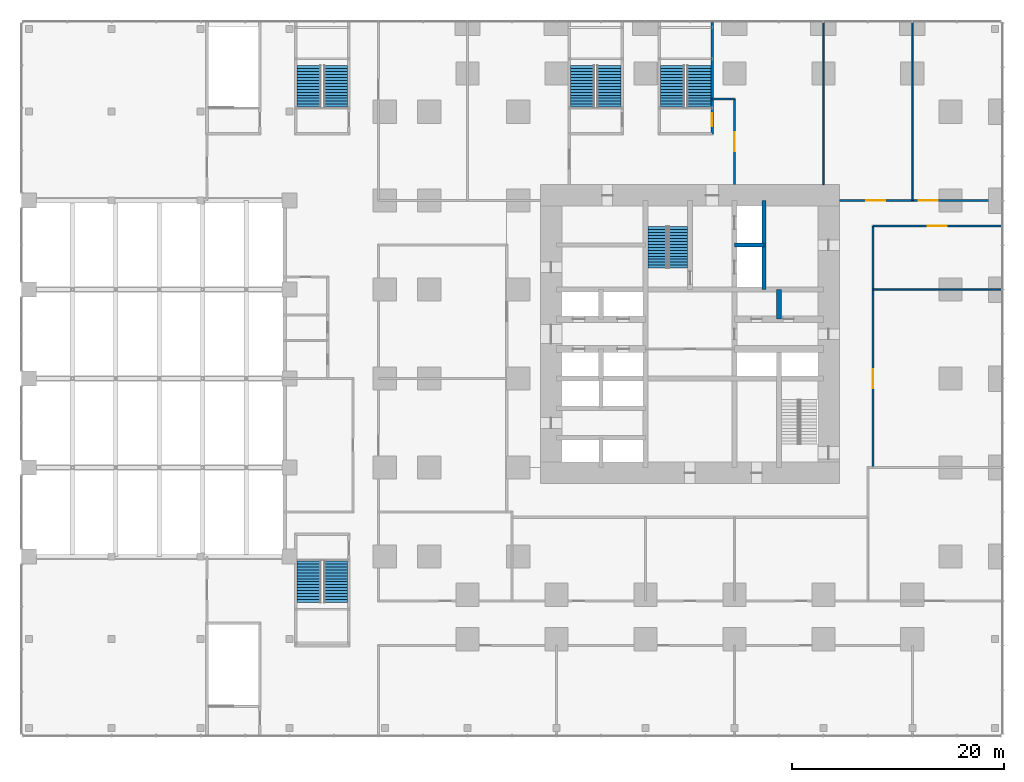
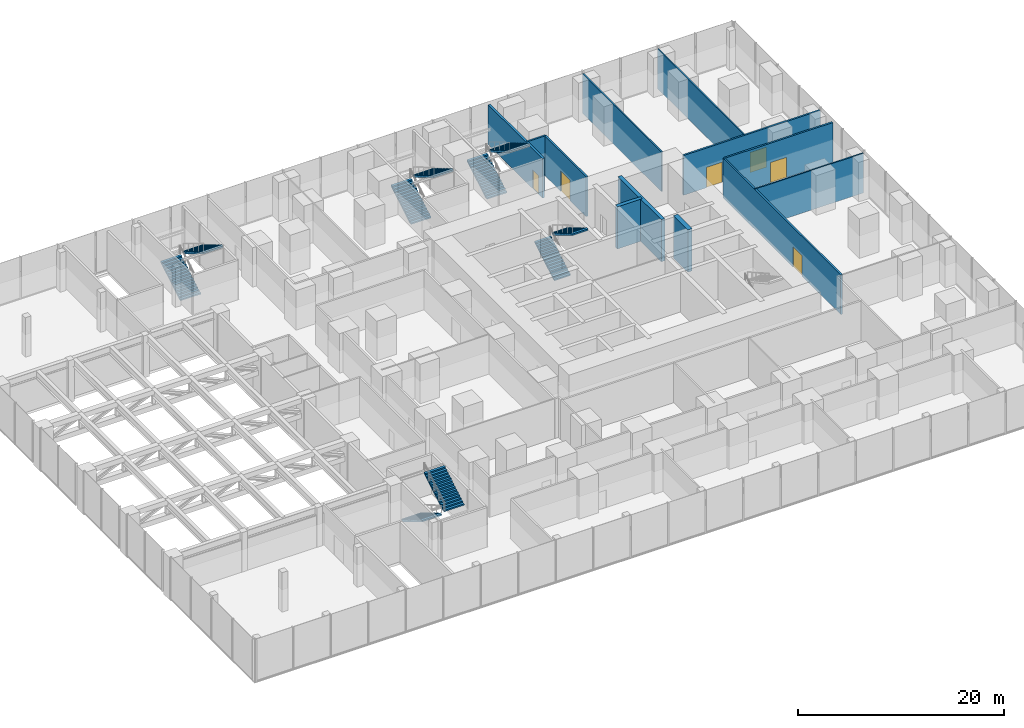
# One storey, part 29 of 33: 12 walls, 10 stair flights, 6 doors, 6 openings, 5 elements without a shape of their own.
"""IFC4 building model written with IfcOpenShell, lengths in metres."""

from ifc_helpers import new_model, si_unit, direction, frame, frame_2d, origin, place, context, subcontext, project, spatial, polyline, rectangle, outline, extrude, material, layer, layer_set, type_object, element, fill, aggregate, save


model = new_model("IFC4")

# Units and contexts
model_context = context("Model", 3, precision=1e-05, world=origin(), true_north=direction((0.0, 1.0)))
body_context = subcontext(model_context, "Body", "Model", "MODEL_VIEW")
ifc_project = project(units=[si_unit("LENGTHUNIT", "METRE"), si_unit("AREAUNIT", "SQUARE_METRE"), si_unit("VOLUMEUNIT", "CUBIC_METRE"), si_unit("PLANEANGLEUNIT", "RADIAN"), si_unit("MASSUNIT", "GRAM", prefix="KILO")], contexts=[model_context])

# Site, building, storey
site_placement = place(None, origin())
site = spatial("IfcSite", under=ifc_project, at=site_placement, CompositionType="ELEMENT")
building_placement = place(site_placement, origin())
building = spatial("IfcBuilding", under=site, at=building_placement, Name="Dunama Terrace Hotel", CompositionType="ELEMENT")
storey_placement = place(building_placement, frame((0.0, 0.0, 12.0)))
storey = spatial("IfcBuildingStorey", under=building, at=storey_placement, Name="L02", CompositionType="ELEMENT", Elevation=12.0)

# Walls
ifc_material_1 = material(Name="Concrete C50/60", Category="concrete")
ifc_layer_1 = layer(ifc_material_1, 0.39990234375)
ifc_layer_set_1 = layer_set([ifc_layer_1], Name="Core inner wall 400")
wall_type_1 = type_object("IfcWallType", Name="Core inner wall 400", PredefinedType="SHEAR", material=ifc_layer_set_1)
wall_1_placement = place(storey_placement, frame((36.39990234375, 33.60009765625, -0.300048828125), z_axis=(0.0, 0.0, 1.0), x_axis=(0.0, 1.0, 0.0)))
element("IfcWall", 1, at=wall_1_placement, inside=storey, type_object=wall_type_1, Name="Core inner wall 400 L02", PredefinedType="SHEAR", context=body_context, shape_type="SweptSolid", body=[
    extrude(rectangle(XDim=8.39990234375, YDim=0.39990234375, at=frame_2d((4.199951171875, 0.0))), origin(), (0.0, 0.0, 1.0), 5.0),
])
wall_2_placement = place(storey_placement, frame((33.60009765625, 37.800048828125, -0.300048828125), z_axis=(0.0, 0.0, 1.0), x_axis=(1.0, 0.0, 0.0)))
element("IfcWall", 2, at=wall_2_placement, inside=storey, type_object=wall_type_1, Name="Core inner wall 400 L02", PredefinedType="SHEAR", context=body_context, shape_type="SweptSolid", body=[
    extrude(rectangle(XDim=2.7998046875, YDim=0.39990234375, at=frame_2d((1.39990234375, 0.0))), origin(), (0.0, 0.0, 1.0), 5.0),
])
ifc_material_2 = material(Name="Concrete C50/60", Category="concrete")
ifc_layer_2 = layer(ifc_material_2, 0.5)
ifc_layer_set_2 = layer_set([ifc_layer_2], Name="Core inner wall 500")
wall_type_2 = type_object("IfcWallType", Name="Core inner wall 500", PredefinedType="SHEAR", material=ifc_layer_set_2)
wall_3_placement = place(storey_placement, frame((37.800048828125, 30.800048828125, -0.300048828125), z_axis=(0.0, 0.0, 1.0), x_axis=(0.0, 1.0, 0.0)))
element("IfcWall", 3, at=wall_3_placement, inside=storey, type_object=wall_type_2, Name="Core inner wall 500 L02", PredefinedType="SHEAR", context=body_context, shape_type="SweptSolid", body=[
    extrude(rectangle(XDim=2.800048828125, YDim=0.5, at=frame_2d((1.39990234375, 0.0))), origin(), (0.0, 0.0, 1.0), 5.0),
])

# Wall, opening, door
ifc_material_3 = material(Name="Concrete blockwork", Category="masonry")
ifc_layer_3 = layer(ifc_material_3, 0.199951171875)
ifc_layer_set_3 = layer_set([ifc_layer_3], Name="Corridor partition 200")
wall_type_3 = type_object("IfcWallType", Name="Corridor partition 200", PredefinedType="PARTITIONING", material=ifc_layer_set_3)
wall_4_placement = place(storey_placement, frame((33.60009765625, 43.5, 0.0), z_axis=(0.0, 0.0, 1.0), x_axis=(0.0, 1.0, 0.0)))
wall_4 = element("IfcWall", 4, at=wall_4_placement, inside=storey, type_object=wall_type_3, Name="Corridor partition 200 L02", PredefinedType="PARTITIONING", context=body_context, shape_type="SweptSolid", body=[
    extrude(rectangle(XDim=8.10009765625, YDim=0.199951171875, at=frame_2d((4.050048828125, 0.0))), origin(), (0.0, 0.0, 1.0), 4.699951171875),
])
opening_1_placement = place(wall_4_placement, frame((3.14990234375, 0.0, 0.0)))
opening_1 = element("IfcOpeningElement", 5, at=opening_1_placement, cuts=wall_4, Name="Opening L02-032", PredefinedType="OPENING", context=body_context, shape_type="SweptSolid", body=[
    extrude(rectangle(XDim=1.800048828125, YDim=2.39990234375, at=frame_2d((0.89990234375, 1.199951171875))), frame((0.0, 0.10986328125, 0.0), z_axis=(0.0, -1.0, 0.0), x_axis=(1.0, 0.0, 0.0)), (0.0, 0.0, 1.0), 0.219970703125),
])
ifc_material_4 = material(Name="Aluminium-framed glazed door", Category="aluminium")
door_type_1 = type_object("IfcDoorType", Name="Glazed double door 1800", OperationType="DOUBLE_DOOR_DOUBLE_SWING", PredefinedType="DOOR", material=ifc_material_4)
door_1_placement = place(opening_1_placement, origin())
door_1 = element("IfcDoor", 6, at=door_1_placement, inside=storey, type_object=door_type_1, Name="Door to meeting room 8 L02-032, type D8", OperationType="DOUBLE_DOOR_DOUBLE_SWING", OverallHeight=2.39990234375, OverallWidth=1.800048828125, PredefinedType="DOOR", context=body_context, shape_type="SweptSolid", body=[
    extrude(rectangle(XDim=1.800048828125, YDim=2.39990234375, at=frame_2d((0.89990234375, 1.199951171875))), frame((0.0, 0.02490234375, 0.0), z_axis=(0.0, -1.0, 0.0), x_axis=(1.0, 0.0, 0.0)), (0.0, 0.0, 1.0), 0.050048828125),
])
fill(opening_1, door_1)

wall_5_placement = place(storey_placement, frame((46.699951171875, 16.800048828125, 0.0), z_axis=(0.0, 0.0, 1.0), x_axis=(0.0, 1.0, 0.0)))
wall_5 = element("IfcWall", 7, at=wall_5_placement, inside=storey, type_object=wall_type_3, Name="Corridor partition 200 L02", PredefinedType="PARTITIONING", context=body_context, shape_type="SweptSolid", body=[
    extrude(rectangle(XDim=22.800048828125, YDim=0.199951171875, at=frame_2d((11.39990234375, 0.0))), origin(), (0.0, 0.0, 1.0), 4.699951171875),
])
opening_2_placement = place(wall_5_placement, frame((7.5, 0.0, 0.0)))
opening_2 = element("IfcOpeningElement", 8, at=opening_2_placement, cuts=wall_5, Name="Opening L02-035", PredefinedType="OPENING", context=body_context, shape_type="SweptSolid", body=[
    extrude(rectangle(XDim=1.800048828125, YDim=2.39990234375, at=frame_2d((0.89990234375, 1.199951171875))), frame((0.0, 0.10986328125, 0.0), z_axis=(0.0, -1.0, 0.0), x_axis=(1.0, 0.0, 0.0)), (0.0, 0.0, 1.0), 0.219970703125),
])
door_2_placement = place(opening_2_placement, origin())
door_2 = element("IfcDoor", 9, at=door_2_placement, inside=storey, type_object=door_type_1, Name="Door to boardroom L02-035, type D8", OperationType="DOUBLE_DOOR_DOUBLE_SWING", OverallHeight=2.39990234375, OverallWidth=1.800048828125, PredefinedType="DOOR", context=body_context, shape_type="SweptSolid", body=[
    extrude(rectangle(XDim=1.800048828125, YDim=2.39990234375, at=frame_2d((0.89990234375, 1.199951171875))), frame((0.0, 0.02490234375, 0.0), z_axis=(0.0, -1.0, 0.0), x_axis=(1.0, 0.0, 0.0)), (0.0, 0.0, 1.0), 0.050048828125),
])
fill(opening_2, door_2)

wall_6_placement = place(storey_placement, frame((46.699951171875, 39.60009765625, 0.0), z_axis=(0.0, 0.0, 1.0), x_axis=(1.0, 0.0, 0.0)))
wall_6 = element("IfcWall", 10, at=wall_6_placement, inside=storey, type_object=wall_type_3, Name="Corridor partition 200 L02", PredefinedType="PARTITIONING", context=body_context, shape_type="SweptSolid", body=[
    extrude(rectangle(XDim=12.123046875, YDim=0.199951171875, at=frame_2d((6.0615234375, 0.0))), origin(), (0.0, 0.0, 1.0), 4.699951171875),
])
opening_3_placement = place(wall_6_placement, frame((5.14990234375, 0.0, 0.0)))
opening_3 = element("IfcOpeningElement", 11, at=opening_3_placement, cuts=wall_6, Name="Opening L02-050", PredefinedType="OPENING", context=body_context, shape_type="SweptSolid", body=[
    extrude(rectangle(XDim=1.800048828125, YDim=2.39990234375, at=frame_2d((0.89990234375, 1.199951171875))), frame((0.0, 0.10986328125, 0.0), z_axis=(0.0, -1.0, 0.0), x_axis=(1.0, 0.0, 0.0)), (0.0, 0.0, 1.0), 0.219970703125),
])
door_3_placement = place(opening_3_placement, origin())
door_3 = element("IfcDoor", 12, at=door_3_placement, inside=storey, type_object=door_type_1, Name="Door to executive lounge L02-050, type D8", OperationType="DOUBLE_DOOR_DOUBLE_SWING", OverallHeight=2.39990234375, OverallWidth=1.800048828125, PredefinedType="DOOR", context=body_context, shape_type="SweptSolid", body=[
    extrude(rectangle(XDim=1.800048828125, YDim=2.39990234375, at=frame_2d((0.89990234375, 1.199951171875))), frame((0.0, 0.02490234375, 0.0), z_axis=(0.0, -1.0, 0.0), x_axis=(1.0, 0.0, 0.0)), (0.0, 0.0, 1.0), 0.050048828125),
])
fill(opening_3, door_3)

# Wall, openings, doors
wall_7_placement = place(storey_placement, frame((58.800048828125, 42.0, 0.0), z_axis=(0.0, 0.0, 1.0), x_axis=(-1.0, 0.0, 0.0)))
wall_7 = element("IfcWall", 13, at=wall_7_placement, inside=storey, type_object=wall_type_3, Name="Corridor partition 200 L02", PredefinedType="PARTITIONING", context=body_context, shape_type="SweptSolid", body=[
    extrude(rectangle(XDim=15.300048828125, YDim=0.199951171875, at=frame_2d((7.64990234375, 0.0))), origin(), (0.0, 0.0, 1.0), 4.699951171875),
])
opening_4_placement = place(wall_7_placement, frame((10.949951171875, 0.0, 0.0)))
opening_4 = element("IfcOpeningElement", 14, at=opening_4_placement, cuts=wall_7, Name="Opening L02-033", PredefinedType="OPENING", context=body_context, shape_type="SweptSolid", body=[
    extrude(rectangle(XDim=1.800048828125, YDim=2.39990234375, at=frame_2d((0.89990234375, 1.199951171875))), frame((0.0, 0.10986328125, 0.0), z_axis=(0.0, -1.0, 0.0), x_axis=(1.0, 0.0, 0.0)), (0.0, 0.0, 1.0), 0.219970703125),
])
opening_5_placement = place(wall_7_placement, frame((6.0, 0.0, 0.0)))
opening_5 = element("IfcOpeningElement", 15, at=opening_5_placement, cuts=wall_7, Name="Opening L02-034", PredefinedType="OPENING", context=body_context, shape_type="SweptSolid", body=[
    extrude(rectangle(XDim=1.800048828125, YDim=2.39990234375, at=frame_2d((0.89990234375, 1.199951171875))), frame((0.0, 0.10986328125, 0.0), z_axis=(0.0, -1.0, 0.0), x_axis=(1.0, 0.0, 0.0)), (0.0, 0.0, 1.0), 0.219970703125),
])
door_4_placement = place(opening_4_placement, origin())
door_4 = element("IfcDoor", 16, at=door_4_placement, inside=storey, type_object=door_type_1, Name="Door to meeting room 9 L02-033, type D8", OperationType="DOUBLE_DOOR_DOUBLE_SWING", OverallHeight=2.39990234375, OverallWidth=1.800048828125, PredefinedType="DOOR", context=body_context, shape_type="SweptSolid", body=[
    extrude(rectangle(XDim=1.800048828125, YDim=2.39990234375, at=frame_2d((0.89990234375, 1.199951171875))), frame((0.0, 0.02490234375, 0.0), z_axis=(0.0, -1.0, 0.0), x_axis=(1.0, 0.0, 0.0)), (0.0, 0.0, 1.0), 0.050048828125),
])
fill(opening_4, door_4)
door_5_placement = place(opening_5_placement, origin())
door_5 = element("IfcDoor", 17, at=door_5_placement, inside=storey, type_object=door_type_1, Name="Door to meeting room 10 L02-034, type D8", OperationType="DOUBLE_DOOR_DOUBLE_SWING", OverallHeight=2.39990234375, OverallWidth=1.800048828125, PredefinedType="DOOR", context=body_context, shape_type="SweptSolid", body=[
    extrude(rectangle(XDim=1.800048828125, YDim=2.39990234375, at=frame_2d((0.89990234375, 1.199951171875))), frame((0.0, 0.02490234375, 0.0), z_axis=(0.0, -1.0, 0.0), x_axis=(1.0, 0.0, 0.0)), (0.0, 0.0, 1.0), 0.050048828125),
])
fill(opening_5, door_5)

# Walls
wall_8_placement = place(storey_placement, frame((33.60009765625, 51.60009765625, 0.0), z_axis=(0.0, 0.0, 1.0), x_axis=(-1.0, 0.0, 0.0)))
element("IfcWall", 18, at=wall_8_placement, inside=storey, type_object=wall_type_3, Name="Corridor partition 200 L02", PredefinedType="PARTITIONING", context=body_context, shape_type="SweptSolid", body=[
    extrude(rectangle(XDim=2.10009765625, YDim=0.199951171875, at=frame_2d((1.050048828125, 0.0))), origin(), (0.0, 0.0, 1.0), 4.699951171875),
])
ifc_material_5 = material(Name="Gypsum board partition", Category="masonry")
ifc_layer_4 = layer(ifc_material_5, 0.14990234375)
ifc_layer_set_4 = layer_set([ifc_layer_4], Name="Room partition 150")
wall_type_4 = type_object("IfcWallType", Name="Room partition 150", PredefinedType="PARTITIONING", material=ifc_layer_set_4)
wall_9_placement = place(storey_placement, frame((42.0, 43.5, 0.0), z_axis=(0.0, 0.0, 1.0), x_axis=(0.0, 1.0, 0.0)))
element("IfcWall", 19, at=wall_9_placement, inside=storey, type_object=wall_type_4, Name="Room partition 150 L02", PredefinedType="PARTITIONING", context=body_context, shape_type="SweptSolid", body=[
    extrude(rectangle(XDim=15.300048828125, YDim=0.14990234375, at=frame_2d((7.64990234375, 0.0))), origin(), (0.0, 0.0, 1.0), 4.699951171875),
])
wall_10_placement = place(storey_placement, frame((50.39990234375, 42.0, 0.0), z_axis=(0.0, 0.0, 1.0), x_axis=(0.0, 1.0, 0.0)))
element("IfcWall", 20, at=wall_10_placement, inside=storey, type_object=wall_type_4, Name="Room partition 150 L02", PredefinedType="PARTITIONING", context=body_context, shape_type="SweptSolid", body=[
    extrude(rectangle(XDim=16.800048828125, YDim=0.14990234375, at=frame_2d((8.39990234375, 0.0))), origin(), (0.0, 0.0, 1.0), 4.699951171875),
])
wall_11_placement = place(storey_placement, frame((46.699951171875, 33.60009765625, 0.0), z_axis=(0.0, 0.0, 1.0), x_axis=(1.0, 0.0, 0.0)))
element("IfcWall", 21, at=wall_11_placement, inside=storey, type_object=wall_type_4, Name="Room partition 150 L02", PredefinedType="PARTITIONING", context=body_context, shape_type="SweptSolid", body=[
    extrude(rectangle(XDim=12.10009765625, YDim=0.14990234375, at=frame_2d((6.050048828125, 0.0))), origin(), (0.0, 0.0, 1.0), 4.699951171875),
])

# Wall, opening, door
ifc_material_6 = material(Name="Concrete blockwork", Category="masonry")
ifc_layer_5 = layer(ifc_material_6, 0.25)
ifc_layer_set_5 = layer_set([ifc_layer_5], Name="Stair enclosure wall 250")
wall_type_5 = type_object("IfcWallType", Name="Stair enclosure wall 250", PredefinedType="PARTITIONING", material=ifc_layer_set_5)
wall_12_placement = place(storey_placement, frame((31.5, 48.300048828125, 0.0), z_axis=(0.0, 0.0, 1.0), x_axis=(0.0, 1.0, 0.0)))
wall_12 = element("IfcWall", 22, at=wall_12_placement, inside=storey, type_object=wall_type_5, Name="Stair enclosure wall 250 L02", PredefinedType="PARTITIONING", context=body_context, shape_type="SweptSolid", body=[
    extrude(rectangle(XDim=10.52294921875, YDim=0.25, at=frame_2d((5.261474609375, 0.0))), origin(), (0.0, 0.0, 1.0), 4.699951171875),
])
opening_6_placement = place(wall_12_placement, frame((0.72509765625, 0.0, 0.0)))
opening_6 = element("IfcOpeningElement", 23, at=opening_6_placement, cuts=wall_12, Name="Opening L02-008", PredefinedType="OPENING", context=body_context, shape_type="SweptSolid", body=[
    extrude(rectangle(XDim=1.199951171875, YDim=2.199951171875, at=frame_2d((0.60009765625, 1.10009765625))), frame((0.0, 0.135009765625, 0.0), z_axis=(0.0, -1.0, 0.0), x_axis=(1.0, 0.0, 0.0)), (0.0, 0.0, 1.0), 0.27001953125),
])
ifc_material_7 = material(Name="Timber door with steel frame", Category="steel")
door_type_2 = type_object("IfcDoorType", Name="Stair door 1200", OperationType="SINGLE_SWING_LEFT", PredefinedType="DOOR", material=ifc_material_7)
door_6_placement = place(opening_6_placement, origin())
door_6 = element("IfcDoor", 24, at=door_6_placement, inside=storey, type_object=door_type_2, Name="Stair door P6 L02-008, type D5", OperationType="SINGLE_SWING_RIGHT", OverallHeight=2.199951171875, OverallWidth=1.199951171875, PredefinedType="DOOR", context=body_context, shape_type="SweptSolid", body=[
    extrude(rectangle(XDim=1.199951171875, YDim=2.199951171875, at=frame_2d((0.60009765625, 1.10009765625))), frame((0.0, 0.02490234375, 0.0), z_axis=(0.0, -1.0, 0.0), x_axis=(1.0, 0.0, 0.0)), (0.0, 0.0, 1.0), 0.050048828125),
])
fill(opening_6, door_6)

# Stair, stair flights
ifc_material_8 = material(Name="Concrete C40/50", Category="concrete")
stair_type_1 = type_object("IfcStairType", Name="Stair P3-5000-2250", PredefinedType="HALF_TURN_STAIR", material=ifc_material_8)
stair_1_placement = place(storey_placement, origin())
stair_1 = element("IfcStair", 25, at=stair_1_placement, inside=storey, type_object=stair_type_1, Name="Stair P3 L02", PredefinedType="HALF_TURN_STAIR")
ifc_material_9 = material(Name="Concrete C40/50", Category="concrete")
stair_flight_type_1 = type_object("IfcStairFlightType", Name="Stair flight P3-5000-2250", PredefinedType="STRAIGHT", material=ifc_material_9)
stair_flight_1_placement = place(storey_placement, frame((-6.550048828125, 50.824951171875, 0.0), z_axis=(0.0, 0.0, 1.0), x_axis=(0.0, 1.0, 0.0)))
stair_flight_1 = element("IfcStairFlight", 26, at=stair_flight_1_placement, type_object=stair_flight_type_1, Name="P3 flight 1", NumberOfRisers=15, NumberOfTreads=14, PredefinedType="STRAIGHT", RiserHeight=0.166666667, TreadLength=0.28, context=body_context, shape_type="SweptSolid", body=[
    extrude(outline(polyline([(0.0, 0.0), (0.0, 0.166748046875), (0.280029296875, 0.166748046875), (0.280029296875, 0.333251953125), (0.56005859375, 0.333251953125), (0.56005859375, 0.5), (0.840087890625, 0.5), (0.840087890625, 0.666748046875), (1.1201171875, 0.666748046875), (1.1201171875, 0.833251953125), (1.39990234375, 0.833251953125), (1.39990234375, 1.0), (1.679931640625, 1.0), (1.679931640625, 1.166748046875), (1.9599609375, 1.166748046875), (1.9599609375, 1.333251953125), (2.239990234375, 1.333251953125), (2.239990234375, 1.5), (2.52001953125, 1.5), (2.52001953125, 1.666748046875), (2.800048828125, 1.666748046875), (2.800048828125, 1.833251953125), (3.080078125, 1.833251953125), (3.080078125, 2.0), (3.360107421875, 2.0), (3.360107421875, 2.166748046875), (3.639892578125, 2.166748046875), (3.639892578125, 2.333251953125), (3.919921875, 2.333251953125), (3.919921875, 2.5), (3.919921875, 2.158935546875), (0.29296875, 0.0), (0.0, 0.0)])), frame((0.0, 1.125, 0.0), z_axis=(0.0, -1.0, 0.0), x_axis=(1.0, 0.0, 0.0)), (0.0, 0.0, 1.0), 2.25),
])
stair_flight_2_placement = place(storey_placement, frame((-4.050048828125, 54.7451171875, 2.5), z_axis=(0.0, 0.0, 1.0), x_axis=(0.0, -1.0, 0.0)))
stair_flight_2 = element("IfcStairFlight", 27, at=stair_flight_2_placement, type_object=stair_flight_type_1, Name="P3 flight 2", NumberOfRisers=15, NumberOfTreads=14, PredefinedType="STRAIGHT", RiserHeight=0.166666667, TreadLength=0.28, context=body_context, shape_type="SweptSolid", body=[
    extrude(outline(polyline([(0.0, 0.0), (0.0, 0.166748046875), (0.280029296875, 0.166748046875), (0.280029296875, 0.333251953125), (0.56005859375, 0.333251953125), (0.56005859375, 0.5), (0.840087890625, 0.5), (0.840087890625, 0.666748046875), (1.1201171875, 0.666748046875), (1.1201171875, 0.833251953125), (1.39990234375, 0.833251953125), (1.39990234375, 1.0), (1.679931640625, 1.0), (1.679931640625, 1.166748046875), (1.9599609375, 1.166748046875), (1.9599609375, 1.333251953125), (2.239990234375, 1.333251953125), (2.239990234375, 1.5), (2.52001953125, 1.5), (2.52001953125, 1.666748046875), (2.800048828125, 1.666748046875), (2.800048828125, 1.833251953125), (3.080078125, 1.833251953125), (3.080078125, 2.0), (3.360107421875, 2.0), (3.360107421875, 2.166748046875), (3.639892578125, 2.166748046875), (3.639892578125, 2.333251953125), (3.919921875, 2.333251953125), (3.919921875, 2.5), (3.919921875, 2.158935546875), (0.29296875, 0.0), (0.0, 0.0)])), frame((0.0, 1.125, 0.0), z_axis=(0.0, -1.0, 0.0), x_axis=(1.0, 0.0, 0.0)), (0.0, 0.0, 1.0), 2.25),
])
aggregate(stair_1, [stair_flight_1, stair_flight_2])

ifc_material_10 = material(Name="Concrete C40/50", Category="concrete")
stair_type_2 = type_object("IfcStairType", Name="Stair P4-5000-2250", PredefinedType="HALF_TURN_STAIR", material=ifc_material_10)
stair_2_placement = place(storey_placement, origin())
stair_2 = element("IfcStair", 28, at=stair_2_placement, inside=storey, type_object=stair_type_2, Name="Stair P4 L02", PredefinedType="HALF_TURN_STAIR")
ifc_material_11 = material(Name="Concrete C40/50", Category="concrete")
stair_flight_type_2 = type_object("IfcStairFlightType", Name="Stair flight P4-5000-2250", PredefinedType="STRAIGHT", material=ifc_material_11)
stair_flight_3_placement = place(storey_placement, frame((-6.550048828125, 7.97509765625, 0.0), z_axis=(0.0, 0.0, 1.0), x_axis=(0.0, -1.0, 0.0)))
stair_flight_3 = element("IfcStairFlight", 29, at=stair_flight_3_placement, type_object=stair_flight_type_2, Name="P4 flight 1", NumberOfRisers=15, NumberOfTreads=14, PredefinedType="STRAIGHT", RiserHeight=0.166666667, TreadLength=0.28, context=body_context, shape_type="SweptSolid", body=[
    extrude(outline(polyline([(0.0, 0.0), (0.0, 0.166748046875), (0.280029296875, 0.166748046875), (0.280029296875, 0.333251953125), (0.56005859375, 0.333251953125), (0.56005859375, 0.5), (0.840087890625, 0.5), (0.840087890625, 0.666748046875), (1.1201171875, 0.666748046875), (1.1201171875, 0.833251953125), (1.39990234375, 0.833251953125), (1.39990234375, 1.0), (1.679931640625, 1.0), (1.679931640625, 1.166748046875), (1.9599609375, 1.166748046875), (1.9599609375, 1.333251953125), (2.239990234375, 1.333251953125), (2.239990234375, 1.5), (2.52001953125, 1.5), (2.52001953125, 1.666748046875), (2.800048828125, 1.666748046875), (2.800048828125, 1.833251953125), (3.080078125, 1.833251953125), (3.080078125, 2.0), (3.360107421875, 2.0), (3.360107421875, 2.166748046875), (3.639892578125, 2.166748046875), (3.639892578125, 2.333251953125), (3.919921875, 2.333251953125), (3.919921875, 2.5), (3.919921875, 2.158935546875), (0.29296875, 0.0), (0.0, 0.0)])), frame((0.0, 1.125, 0.0), z_axis=(0.0, -1.0, 0.0), x_axis=(1.0, 0.0, 0.0)), (0.0, 0.0, 1.0), 2.25),
])
stair_flight_4_placement = place(storey_placement, frame((-4.050048828125, 4.054931640625, 2.5), z_axis=(0.0, 0.0, 1.0), x_axis=(0.0, 1.0, 0.0)))
stair_flight_4 = element("IfcStairFlight", 30, at=stair_flight_4_placement, type_object=stair_flight_type_2, Name="P4 flight 2", NumberOfRisers=15, NumberOfTreads=14, PredefinedType="STRAIGHT", RiserHeight=0.166666667, TreadLength=0.28, context=body_context, shape_type="SweptSolid", body=[
    extrude(outline(polyline([(0.0, 0.0), (0.0, 0.166748046875), (0.280029296875, 0.166748046875), (0.280029296875, 0.333251953125), (0.56005859375, 0.333251953125), (0.56005859375, 0.5), (0.840087890625, 0.5), (0.840087890625, 0.666748046875), (1.1201171875, 0.666748046875), (1.1201171875, 0.833251953125), (1.39990234375, 0.833251953125), (1.39990234375, 1.0), (1.679931640625, 1.0), (1.679931640625, 1.166748046875), (1.9599609375, 1.166748046875), (1.9599609375, 1.333251953125), (2.239990234375, 1.333251953125), (2.239990234375, 1.5), (2.52001953125, 1.5), (2.52001953125, 1.666748046875), (2.800048828125, 1.666748046875), (2.800048828125, 1.833251953125), (3.080078125, 1.833251953125), (3.080078125, 2.0), (3.360107421875, 2.0), (3.360107421875, 2.166748046875), (3.639892578125, 2.166748046875), (3.639892578125, 2.333251953125), (3.919921875, 2.333251953125), (3.919921875, 2.5), (3.919921875, 2.158935546875), (0.29296875, 0.0), (0.0, 0.0)])), frame((0.0, 1.125, 0.0), z_axis=(0.0, -1.0, 0.0), x_axis=(1.0, 0.0, 0.0)), (0.0, 0.0, 1.0), 2.25),
])
aggregate(stair_2, [stair_flight_3, stair_flight_4])

ifc_material_12 = material(Name="Concrete C40/50", Category="concrete")
stair_type_3 = type_object("IfcStairType", Name="Stair P5-5000-2250", PredefinedType="HALF_TURN_STAIR", material=ifc_material_12)
stair_3_placement = place(storey_placement, origin())
stair_3 = element("IfcStair", 31, at=stair_3_placement, inside=storey, type_object=stair_type_3, Name="Stair P5 L02", PredefinedType="HALF_TURN_STAIR")
ifc_material_13 = material(Name="Concrete C40/50", Category="concrete")
stair_flight_type_3 = type_object("IfcStairFlightType", Name="Stair flight P5-5000-2250", PredefinedType="STRAIGHT", material=ifc_material_13)
stair_flight_5_placement = place(storey_placement, frame((19.25, 50.824951171875, 0.0), z_axis=(0.0, 0.0, 1.0), x_axis=(0.0, 1.0, 0.0)))
stair_flight_5 = element("IfcStairFlight", 32, at=stair_flight_5_placement, type_object=stair_flight_type_3, Name="P5 flight 1", NumberOfRisers=15, NumberOfTreads=14, PredefinedType="STRAIGHT", RiserHeight=0.166666667, TreadLength=0.28, context=body_context, shape_type="SweptSolid", body=[
    extrude(outline(polyline([(0.0, 0.0), (0.0, 0.166748046875), (0.280029296875, 0.166748046875), (0.280029296875, 0.333251953125), (0.56005859375, 0.333251953125), (0.56005859375, 0.5), (0.840087890625, 0.5), (0.840087890625, 0.666748046875), (1.1201171875, 0.666748046875), (1.1201171875, 0.833251953125), (1.39990234375, 0.833251953125), (1.39990234375, 1.0), (1.679931640625, 1.0), (1.679931640625, 1.166748046875), (1.9599609375, 1.166748046875), (1.9599609375, 1.333251953125), (2.239990234375, 1.333251953125), (2.239990234375, 1.5), (2.52001953125, 1.5), (2.52001953125, 1.666748046875), (2.800048828125, 1.666748046875), (2.800048828125, 1.833251953125), (3.080078125, 1.833251953125), (3.080078125, 2.0), (3.360107421875, 2.0), (3.360107421875, 2.166748046875), (3.639892578125, 2.166748046875), (3.639892578125, 2.333251953125), (3.919921875, 2.333251953125), (3.919921875, 2.5), (3.919921875, 2.158935546875), (0.29296875, 0.0), (0.0, 0.0)])), frame((0.0, 1.125, 0.0), z_axis=(0.0, -1.0, 0.0), x_axis=(1.0, 0.0, 0.0)), (0.0, 0.0, 1.0), 2.25),
])
stair_flight_6_placement = place(storey_placement, frame((21.75, 54.7451171875, 2.5), z_axis=(0.0, 0.0, 1.0), x_axis=(0.0, -1.0, 0.0)))
stair_flight_6 = element("IfcStairFlight", 33, at=stair_flight_6_placement, type_object=stair_flight_type_3, Name="P5 flight 2", NumberOfRisers=15, NumberOfTreads=14, PredefinedType="STRAIGHT", RiserHeight=0.166666667, TreadLength=0.28, context=body_context, shape_type="SweptSolid", body=[
    extrude(outline(polyline([(0.0, 0.0), (0.0, 0.166748046875), (0.280029296875, 0.166748046875), (0.280029296875, 0.333251953125), (0.56005859375, 0.333251953125), (0.56005859375, 0.5), (0.840087890625, 0.5), (0.840087890625, 0.666748046875), (1.1201171875, 0.666748046875), (1.1201171875, 0.833251953125), (1.39990234375, 0.833251953125), (1.39990234375, 1.0), (1.679931640625, 1.0), (1.679931640625, 1.166748046875), (1.9599609375, 1.166748046875), (1.9599609375, 1.333251953125), (2.239990234375, 1.333251953125), (2.239990234375, 1.5), (2.52001953125, 1.5), (2.52001953125, 1.666748046875), (2.800048828125, 1.666748046875), (2.800048828125, 1.833251953125), (3.080078125, 1.833251953125), (3.080078125, 2.0), (3.360107421875, 2.0), (3.360107421875, 2.166748046875), (3.639892578125, 2.166748046875), (3.639892578125, 2.333251953125), (3.919921875, 2.333251953125), (3.919921875, 2.5), (3.919921875, 2.158935546875), (0.29296875, 0.0), (0.0, 0.0)])), frame((0.0, 1.125, 0.0), z_axis=(0.0, -1.0, 0.0), x_axis=(1.0, 0.0, 0.0)), (0.0, 0.0, 1.0), 2.25),
])
aggregate(stair_3, [stair_flight_5, stair_flight_6])

ifc_material_14 = material(Name="Concrete C40/50", Category="concrete")
stair_type_4 = type_object("IfcStairType", Name="Stair P6-5000-2250", PredefinedType="HALF_TURN_STAIR", material=ifc_material_14)
stair_4_placement = place(storey_placement, origin())
stair_4 = element("IfcStair", 34, at=stair_4_placement, inside=storey, type_object=stair_type_4, Name="Stair P6 L02", PredefinedType="HALF_TURN_STAIR")
ifc_material_15 = material(Name="Concrete C40/50", Category="concrete")
stair_flight_type_4 = type_object("IfcStairFlightType", Name="Stair flight P6-5000-2250", PredefinedType="STRAIGHT", material=ifc_material_15)
stair_flight_7_placement = place(storey_placement, frame((27.75, 50.824951171875, 0.0), z_axis=(0.0, 0.0, 1.0), x_axis=(0.0, 1.0, 0.0)))
stair_flight_7 = element("IfcStairFlight", 35, at=stair_flight_7_placement, type_object=stair_flight_type_4, Name="P6 flight 1", NumberOfRisers=15, NumberOfTreads=14, PredefinedType="STRAIGHT", RiserHeight=0.166666667, TreadLength=0.28, context=body_context, shape_type="SweptSolid", body=[
    extrude(outline(polyline([(0.0, 0.0), (0.0, 0.166748046875), (0.280029296875, 0.166748046875), (0.280029296875, 0.333251953125), (0.56005859375, 0.333251953125), (0.56005859375, 0.5), (0.840087890625, 0.5), (0.840087890625, 0.666748046875), (1.1201171875, 0.666748046875), (1.1201171875, 0.833251953125), (1.39990234375, 0.833251953125), (1.39990234375, 1.0), (1.679931640625, 1.0), (1.679931640625, 1.166748046875), (1.9599609375, 1.166748046875), (1.9599609375, 1.333251953125), (2.239990234375, 1.333251953125), (2.239990234375, 1.5), (2.52001953125, 1.5), (2.52001953125, 1.666748046875), (2.800048828125, 1.666748046875), (2.800048828125, 1.833251953125), (3.080078125, 1.833251953125), (3.080078125, 2.0), (3.360107421875, 2.0), (3.360107421875, 2.166748046875), (3.639892578125, 2.166748046875), (3.639892578125, 2.333251953125), (3.919921875, 2.333251953125), (3.919921875, 2.5), (3.919921875, 2.158935546875), (0.29296875, 0.0), (0.0, 0.0)])), frame((0.0, 1.125, 0.0), z_axis=(0.0, -1.0, 0.0), x_axis=(1.0, 0.0, 0.0)), (0.0, 0.0, 1.0), 2.25),
])
stair_flight_8_placement = place(storey_placement, frame((30.25, 54.7451171875, 2.5), z_axis=(0.0, 0.0, 1.0), x_axis=(0.0, -1.0, 0.0)))
stair_flight_8 = element("IfcStairFlight", 36, at=stair_flight_8_placement, type_object=stair_flight_type_4, Name="P6 flight 2", NumberOfRisers=15, NumberOfTreads=14, PredefinedType="STRAIGHT", RiserHeight=0.166666667, TreadLength=0.28, context=body_context, shape_type="SweptSolid", body=[
    extrude(outline(polyline([(0.0, 0.0), (0.0, 0.166748046875), (0.280029296875, 0.166748046875), (0.280029296875, 0.333251953125), (0.56005859375, 0.333251953125), (0.56005859375, 0.5), (0.840087890625, 0.5), (0.840087890625, 0.666748046875), (1.1201171875, 0.666748046875), (1.1201171875, 0.833251953125), (1.39990234375, 0.833251953125), (1.39990234375, 1.0), (1.679931640625, 1.0), (1.679931640625, 1.166748046875), (1.9599609375, 1.166748046875), (1.9599609375, 1.333251953125), (2.239990234375, 1.333251953125), (2.239990234375, 1.5), (2.52001953125, 1.5), (2.52001953125, 1.666748046875), (2.800048828125, 1.666748046875), (2.800048828125, 1.833251953125), (3.080078125, 1.833251953125), (3.080078125, 2.0), (3.360107421875, 2.0), (3.360107421875, 2.166748046875), (3.639892578125, 2.166748046875), (3.639892578125, 2.333251953125), (3.919921875, 2.333251953125), (3.919921875, 2.5), (3.919921875, 2.158935546875), (0.29296875, 0.0), (0.0, 0.0)])), frame((0.0, 1.125, 0.0), z_axis=(0.0, -1.0, 0.0), x_axis=(1.0, 0.0, 0.0)), (0.0, 0.0, 1.0), 2.25),
])
aggregate(stair_4, [stair_flight_7, stair_flight_8])

ifc_material_16 = material(Name="Concrete C40/50", Category="concrete")
stair_type_5 = type_object("IfcStairType", Name="Stair ST1-5000-1800", PredefinedType="HALF_TURN_STAIR", material=ifc_material_16)
stair_5_placement = place(storey_placement, origin())
stair_5 = element("IfcStair", 37, at=stair_5_placement, inside=storey, type_object=stair_type_5, Name="Stair ST1 L02", PredefinedType="HALF_TURN_STAIR")
ifc_material_17 = material(Name="Concrete C40/50", Category="concrete")
stair_flight_type_5 = type_object("IfcStairFlightType", Name="Stair flight ST1-5000-1800", PredefinedType="STRAIGHT", material=ifc_material_17)
stair_flight_9_placement = place(storey_placement, frame((26.324951171875, 35.625, 0.0), z_axis=(0.0, 0.0, 1.0), x_axis=(0.0, 1.0, 0.0)))
stair_flight_9 = element("IfcStairFlight", 38, at=stair_flight_9_placement, type_object=stair_flight_type_5, Name="ST1 flight 1", NumberOfRisers=15, NumberOfTreads=14, PredefinedType="STRAIGHT", RiserHeight=0.166666667, TreadLength=0.28, context=body_context, shape_type="SweptSolid", body=[
    extrude(outline(polyline([(0.0, 0.0), (0.0, 0.166748046875), (0.280029296875, 0.166748046875), (0.280029296875, 0.333251953125), (0.56005859375, 0.333251953125), (0.56005859375, 0.5), (0.840087890625, 0.5), (0.840087890625, 0.666748046875), (1.1201171875, 0.666748046875), (1.1201171875, 0.833251953125), (1.39990234375, 0.833251953125), (1.39990234375, 1.0), (1.679931640625, 1.0), (1.679931640625, 1.166748046875), (1.9599609375, 1.166748046875), (1.9599609375, 1.333251953125), (2.239990234375, 1.333251953125), (2.239990234375, 1.5), (2.52001953125, 1.5), (2.52001953125, 1.666748046875), (2.800048828125, 1.666748046875), (2.800048828125, 1.833251953125), (3.080078125, 1.833251953125), (3.080078125, 2.0), (3.360107421875, 2.0), (3.360107421875, 2.166748046875), (3.639892578125, 2.166748046875), (3.639892578125, 2.333251953125), (3.919921875, 2.333251953125), (3.919921875, 2.5), (3.919921875, 2.158935546875), (0.29296875, 0.0), (0.0, 0.0)])), frame((0.0, 0.89990234375, 0.0), z_axis=(0.0, -1.0, 0.0), x_axis=(1.0, 0.0, 0.0)), (0.0, 0.0, 1.0), 1.800048828125),
])
stair_flight_10_placement = place(storey_placement, frame((28.27490234375, 39.544921875, 2.5), z_axis=(0.0, 0.0, 1.0), x_axis=(0.0, -1.0, 0.0)))
stair_flight_10 = element("IfcStairFlight", 39, at=stair_flight_10_placement, type_object=stair_flight_type_5, Name="ST1 flight 2", NumberOfRisers=15, NumberOfTreads=14, PredefinedType="STRAIGHT", RiserHeight=0.166666667, TreadLength=0.28, context=body_context, shape_type="SweptSolid", body=[
    extrude(outline(polyline([(0.0, 0.0), (0.0, 0.166748046875), (0.280029296875, 0.166748046875), (0.280029296875, 0.333251953125), (0.56005859375, 0.333251953125), (0.56005859375, 0.5), (0.840087890625, 0.5), (0.840087890625, 0.666748046875), (1.1201171875, 0.666748046875), (1.1201171875, 0.833251953125), (1.39990234375, 0.833251953125), (1.39990234375, 1.0), (1.679931640625, 1.0), (1.679931640625, 1.166748046875), (1.9599609375, 1.166748046875), (1.9599609375, 1.333251953125), (2.239990234375, 1.333251953125), (2.239990234375, 1.5), (2.52001953125, 1.5), (2.52001953125, 1.666748046875), (2.800048828125, 1.666748046875), (2.800048828125, 1.833251953125), (3.080078125, 1.833251953125), (3.080078125, 2.0), (3.360107421875, 2.0), (3.360107421875, 2.166748046875), (3.639892578125, 2.166748046875), (3.639892578125, 2.333251953125), (3.919921875, 2.333251953125), (3.919921875, 2.5), (3.919921875, 2.158935546875), (0.29296875, 0.0), (0.0, 0.0)])), frame((0.0, 0.89990234375, 0.0), z_axis=(0.0, -1.0, 0.0), x_axis=(1.0, 0.0, 0.0)), (0.0, 0.0, 1.0), 1.800048828125),
])
aggregate(stair_5, [stair_flight_9, stair_flight_10])

save(model, "model.ifc")
